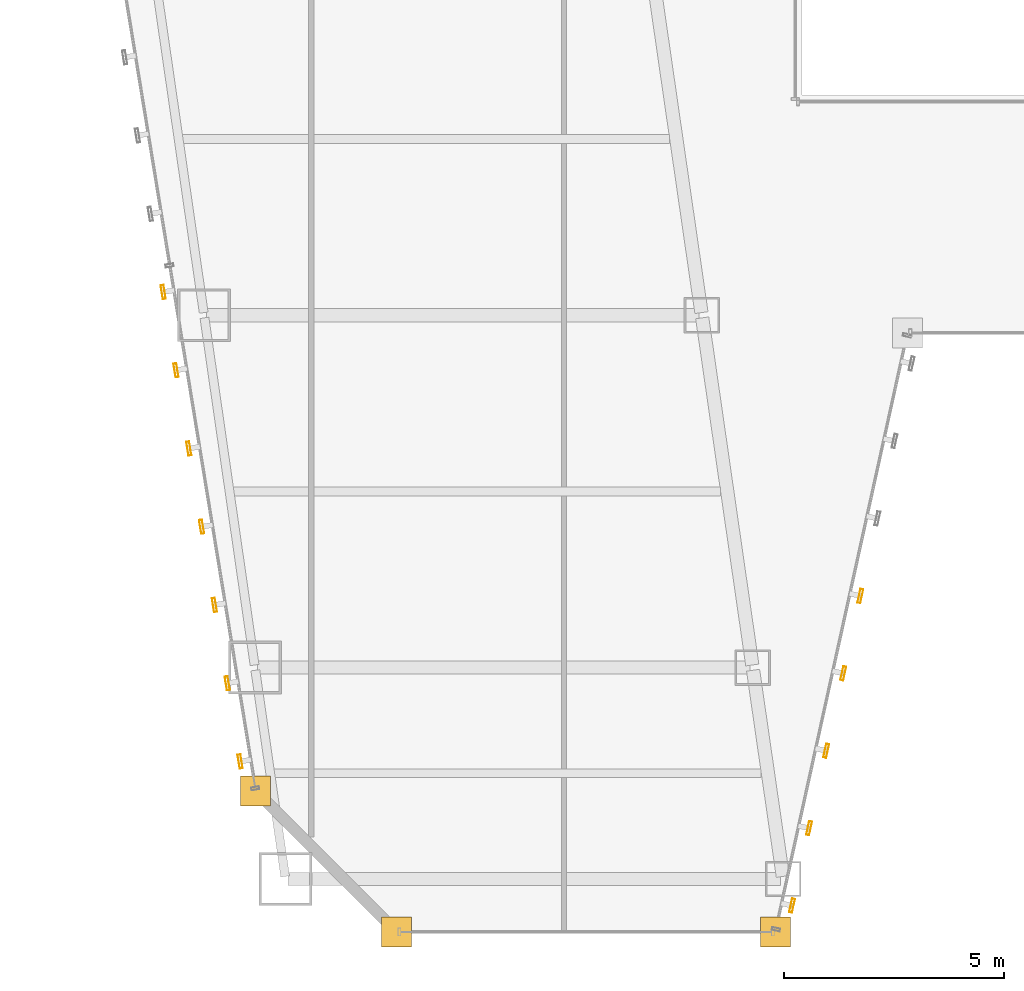
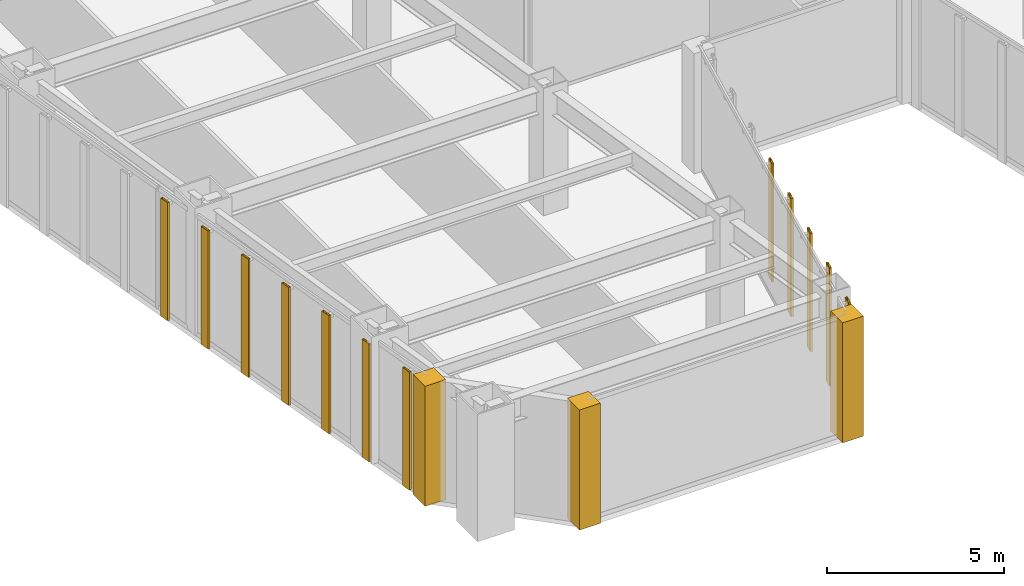
# One storey, part 41 of 47: 12 shading devices, 3 coverings.
"""IFC4 building model written with IfcOpenShell, lengths in metres."""

import ifcopenshell
import ifcopenshell.guid

model = None  # the IFC model being written
_history = None  # IfcOwnerHistory: only IFC2X3 demands one
_inside = {}  # id of a spatial element -> (the spatial element, [elements in it])
_under = {}  # id of a project, library or spatial element -> (it, [spatial elements below it])
_declared = {}  # id of a project -> (the project, [libraries it declares])
_typed = {}  # id of a type object -> (the type object, [elements of that type])
_made_of = {}  # id of a material, layer set ... -> (it, [elements and type objects made of it])


def new_model(schema):
    """Start an empty IFC model of exactly this schema.

    Asked for "IFC4X3", IfcOpenShell would pick the latest addendum, in which some entities
    have other attributes; the version numbers below select the first issue.
    IFC2X3 requires an IfcOwnerHistory on every rooted entity: one is made here for all.
    """
    global model, _history
    if schema == "IFC4X3":
        model = ifcopenshell.file(schema_version=(4, 3, 0, 0))
    else:
        model = ifcopenshell.file(schema=schema)
    _inside.clear()
    _under.clear()
    _declared.clear()
    _typed.clear()
    _made_of.clear()
    _history = None
    if model.schema == "IFC2X3":
        org = make("IfcOrganization", Name="unknown")
        user = make(
            "IfcPersonAndOrganization",
            ThePerson=make("IfcPerson", FamilyName="unknown"),
            TheOrganization=org,
        )
        app = make(
            "IfcApplication",
            ApplicationDeveloper=org,
            Version="unknown",
            ApplicationFullName="unknown",
            ApplicationIdentifier="unknown",
        )
        _history = make(
            "IfcOwnerHistory",
            OwningUser=user,
            OwningApplication=app,
            ChangeAction="ADDED",
            CreationDate=0,
        )
    return model


def make(cls, **values):
    """One entity of the class cls with the attributes given. An attribute that is None is left unset."""
    return model.create_entity(
        cls, **{name: value for name, value in values.items() if value is not None}
    )


def rooted(cls, **values):
    """An entity with a GlobalId (a new one), such as an element, a storey or a relation."""
    return make(cls, GlobalId=ifcopenshell.guid.new(), OwnerHistory=_history, **values)


def si_unit(unit_type, name, prefix=None):
    """IfcSIUnit, for example si_unit("LENGTHUNIT", "METRE", prefix="MILLI")."""
    return make("IfcSIUnit", UnitType=unit_type, Prefix=prefix, Name=name)


def assignment(units):
    """IfcUnitAssignment: the units of a project."""
    return None if units is None else make("IfcUnitAssignment", Units=units)


def point(xyz):
    """IfcCartesianPoint."""
    return None if xyz is None else make("IfcCartesianPoint", Coordinates=xyz)


def direction(xyz):
    """IfcDirection."""
    return None if xyz is None else make("IfcDirection", DirectionRatios=xyz)


def frame(location, z_axis=None, x_axis=None):
    """IfcAxis2Placement3D, a coordinate frame: its origin and axes. An axis left out is left unset."""
    return make(
        "IfcAxis2Placement3D",
        Location=point(location),
        Axis=direction(z_axis),
        RefDirection=direction(x_axis),
    )


def frame_2d(location, x_axis=None):
    """IfcAxis2Placement2D, a coordinate frame in the plane: its origin and x axis."""
    return make(
        "IfcAxis2Placement2D", Location=point(location), RefDirection=direction(x_axis)
    )


def origin():
    """The frame at (0, 0, 0) with its axes left unset."""
    return frame((0.0, 0.0, 0.0))


def origin_2d():
    """The frame at (0, 0) in the plane with its x axis left unset."""
    return frame_2d((0.0, 0.0))


def place(relative_to, where):
    """IfcLocalPlacement: puts the frame where relative to a parent placement (None: the world)."""
    return make(
        "IfcLocalPlacement", PlacementRelTo=relative_to, RelativePlacement=where
    )


def context(
    kind, dimensions, precision=None, world=None, true_north=None, identifier=None
):
    """IfcGeometricRepresentationContext, for example the 3D "Model" context."""
    return make(
        "IfcGeometricRepresentationContext",
        ContextIdentifier=identifier,
        ContextType=kind,
        CoordinateSpaceDimension=dimensions,
        Precision=precision,
        WorldCoordinateSystem=world,
        TrueNorth=true_north,
    )


def subcontext(parent, identifier, kind, view, scale=None):
    """IfcGeometricRepresentationSubContext, for example "Body" below "Model"."""
    return make(
        "IfcGeometricRepresentationSubContext",
        ContextIdentifier=identifier,
        ContextType=kind,
        ParentContext=parent,
        TargetScale=scale,
        TargetView=view,
    )


def project(units=None, contexts=None):
    """IfcProject with its units and contexts."""
    return rooted(
        "IfcProject",
        Name="project",
        RepresentationContexts=contexts,
        UnitsInContext=assignment(units),
    )


def spatial(cls, under=None, at=None, **own):
    """A site, building, storey or space (cls), placed at a placement, below another one or the project."""
    s = rooted(cls, ObjectPlacement=at, **own)
    if under is not None:
        _under.setdefault(under.id(), (under, []))[1].append(s)
    return s


def polyline(points):
    """IfcPolyline through the points."""
    return make("IfcPolyline", Points=[point(p) for p in points])


def profile(cls, at=None, kind="AREA", **sizes):
    """A parametric profile (cls). Its sizes go by their IFC names, for example OverallWidth=200.0."""
    return make(cls, ProfileType=kind, Position=at, **sizes)


def hollow_rectangle(**sizes):
    """IfcRectangleHollowProfileDef."""
    return profile("IfcRectangleHollowProfileDef", **sizes)


def outline(outer, holes=None, kind="AREA"):
    """IfcArbitraryClosedProfileDef: a profile drawn as a closed curve; with holes, ...WithVoids."""
    if holes is None:
        return make("IfcArbitraryClosedProfileDef", ProfileType=kind, OuterCurve=outer)
    return make(
        "IfcArbitraryProfileDefWithVoids",
        ProfileType=kind,
        OuterCurve=outer,
        InnerCurves=holes,
    )


def extrude(swept, where, along, depth):
    """IfcExtrudedAreaSolid: the profile swept, set in the frame where, extruded along a direction by depth."""
    return make(
        "IfcExtrudedAreaSolid",
        SweptArea=swept,
        Position=where,
        ExtrudedDirection=direction(along),
        Depth=depth,
    )


def shape(context_of_items, identifier, shape_type, items):
    """IfcShapeRepresentation: the items that make up one representation, for example the "Body"."""
    return make(
        "IfcShapeRepresentation",
        ContextOfItems=context_of_items,
        RepresentationIdentifier=identifier,
        RepresentationType=shape_type,
        Items=items,
    )


def material(Name=None, Category=None):
    """IfcMaterial."""
    return make("IfcMaterial", Name=Name, Category=Category)


def layer(
    of_material, thickness, ventilated=None, Name=None, Category=None, Priority=None
):
    """IfcMaterialLayer: one layer of a wall or slab, of a material (None: an air gap)."""
    return make(
        "IfcMaterialLayer",
        Material=of_material,
        LayerThickness=thickness,
        IsVentilated=ventilated,
        Name=Name,
        Category=Category,
        Priority=Priority,
    )


def layer_set(layers, Name=None):
    """IfcMaterialLayerSet."""
    return make("IfcMaterialLayerSet", MaterialLayers=layers, LayerSetName=Name)


def material_profile(
    of_material, cross_section, Name=None, Category=None, Priority=None
):
    """IfcMaterialProfile: a cross section and its material."""
    return make(
        "IfcMaterialProfile",
        Name=Name,
        Material=of_material,
        Profile=cross_section,
        Priority=Priority,
        Category=Category,
    )


def profile_set(profiles, Name=None, composite=None):
    """IfcMaterialProfileSet."""
    return make(
        "IfcMaterialProfileSet",
        Name=Name,
        MaterialProfiles=profiles,
        CompositeProfile=composite,
    )


def made_of(thing, what):
    """Note that an element or type object is made of a material, layer set ...; save() writes the relation."""
    if what is not None:
        _made_of.setdefault(what.id(), (what, []))[1].append(thing)
    return thing


def type_object(cls, material=None, **own):
    """A type object (cls), such as IfcWallType, which elements share."""
    return made_of(rooted(cls, **own), material)


def element(
    cls,
    number,
    at=None,
    inside=None,
    cuts=None,
    type_object=None,
    material=None,
    context=None,
    identifier="Body",
    shape_type=None,
    held_by="IfcProductDefinitionShape",
    body=None,
    shapes=None,
    **own,
):
    """One element of the class cls, such as IfcWall. Its Tag is "e" and its number.

    at: its placement. inside: the storey or other place that contains it. cuts: it is an
    opening in that element (IfcRelVoidsElement). A single representation is given by context,
    identifier, shape_type and body (its items); several are given by shapes. held_by: the class
    of the entity that holds the representations. save() writes the other relations.
    """
    e = rooted(cls, Tag="e%d" % number, ObjectPlacement=at, **own)
    if body is not None:
        shapes = [shape(context, identifier, shape_type, body)]
    if shapes is not None:
        e.Representation = make(held_by, Representations=shapes)
    if inside is not None:
        _inside.setdefault(inside.id(), (inside, []))[1].append(e)
    if cuts is not None:
        rooted(
            "IfcRelVoidsElement", RelatingBuildingElement=cuts, RelatedOpeningElement=e
        )
    if type_object is not None:
        _typed.setdefault(type_object.id(), (type_object, []))[1].append(e)
    return made_of(e, material)


def aggregate(whole, parts):
    """IfcRelAggregates: a whole, such as a stair, and the parts it consists of."""
    return rooted("IfcRelAggregates", RelatingObject=whole, RelatedObjects=parts)


def save(model, path):
    """Write the relations noted so far, then the file.

    IfcRelAggregates (storeys below a building ...), IfcRelContainedInSpatialStructure (elements
    in a storey), IfcRelDefinesByType, IfcRelAssociatesMaterial and IfcRelDeclares: one each for
    every whole, place, type object, material and project.
    """
    for whole, parts in _under.values():
        aggregate(whole, parts)
    for where, things in _inside.values():
        rooted(
            "IfcRelContainedInSpatialStructure",
            RelatedElements=things,
            RelatingStructure=where,
        )
    for kind, things in _typed.values():
        rooted("IfcRelDefinesByType", RelatedObjects=things, RelatingType=kind)
    for what, things in _made_of.values():
        rooted("IfcRelAssociatesMaterial", RelatedObjects=things, RelatingMaterial=what)
    for by, libraries in _declared.values():
        rooted("IfcRelDeclares", RelatingContext=by, RelatedDefinitions=libraries)
    model.write(path)


model = new_model("IFC4")

# Units and contexts
model_context = context("Model", 3, precision=1e-05, world=origin(), true_north=direction((0.0, 1.0)))
body_context = subcontext(model_context, "Body", "Model", "MODEL_VIEW")
ifc_project = project(units=[si_unit("LENGTHUNIT", "METRE"), si_unit("AREAUNIT", "SQUARE_METRE"), si_unit("VOLUMEUNIT", "CUBIC_METRE"), si_unit("PLANEANGLEUNIT", "RADIAN"), si_unit("MASSUNIT", "GRAM", prefix="KILO")], contexts=[model_context])

# Site, building, storey
site_placement = place(None, origin())
site = spatial("IfcSite", under=ifc_project, at=site_placement, CompositionType="ELEMENT")
building_placement = place(site_placement, origin())
building = spatial("IfcBuilding", under=site, at=building_placement, Name="Saevonmaru Cultural Tower", CompositionType="ELEMENT")
storey_placement = place(building_placement, frame((0.0, 0.0, 42.800048828125)))
storey = spatial("IfcBuildingStorey", under=building, at=storey_placement, Name="L08", CompositionType="ELEMENT", Elevation=42.800048828125)

# Coverings
ifc_material = material(Name="Satin Bronze Anodised Aluminium", Category="aluminium")
ifc_layer = layer(ifc_material, 0.679931640625, Name="Satin Bronze Anodised Aluminium")
ifc_layer_set = layer_set([ifc_layer], Name="Satin Bronze Anodised Aluminium")
covering_type = type_object("IfcCoveringType", Name="CV-CORNER-CLAD", PredefinedType="CLADDING", material=ifc_layer_set)
covering_1_placement = place(storey_placement, origin())
element("IfcCovering", 1, at=covering_1_placement, inside=storey, type_object=covering_type, Name="L08 Tower Bronze Corner Cladding Pier 1", PredefinedType="CLADDING", context=body_context, shape_type="SweptSolid", body=[
    extrude(outline(polyline([(11.4599609375, 4.860107421875), (12.139892578125, 4.860107421875), (12.139892578125, 5.5400390625), (11.4599609375, 5.5400390625), (11.4599609375, 4.860107421875)])), origin(), (0.0, 0.0, 1.0), 4.14990234375),
])
covering_2_placement = place(storey_placement, origin())
element("IfcCovering", 2, at=covering_2_placement, inside=storey, type_object=covering_type, Name="L08 Tower Bronze Corner Cladding Pier 2", PredefinedType="CLADDING", context=body_context, shape_type="SweptSolid", body=[
    extrude(outline(polyline([(14.659912109375, 1.659912109375), (15.340087890625, 1.659912109375), (15.340087890625, 2.340087890625), (14.659912109375, 2.340087890625), (14.659912109375, 1.659912109375)])), origin(), (0.0, 0.0, 1.0), 4.14990234375),
])
covering_3_placement = place(storey_placement, origin())
element("IfcCovering", 3, at=covering_3_placement, inside=storey, type_object=covering_type, Name="L08 Tower Bronze Corner Cladding Pier 3", PredefinedType="CLADDING", context=body_context, shape_type="SweptSolid", body=[
    extrude(outline(polyline([(23.260009765625, 1.659912109375), (23.93994140625, 1.659912109375), (23.93994140625, 2.340087890625), (23.260009765625, 2.340087890625), (23.260009765625, 1.659912109375)])), origin(), (0.0, 0.0, 1.0), 4.14990234375),
])

# Shading devices
ifc_material_profile = material_profile(ifc_material, hollow_rectangle(XDim=0.070068359375, YDim=0.320068359375, WallThickness=0.0048828125, at=origin_2d()), Name="FIN-320x70")
ifc_profile_set = profile_set([ifc_material_profile], Name="Satin Bronze Anodised Aluminium")
shading_device_type = type_object("IfcShadingDeviceType", Name="SHD-FIN-320", PredefinedType="JALOUSIE", material=ifc_profile_set)
for number, where, z_axis, x_axis, name in (
    (4, (23.977294921875, 2.59619140625, 0.050048828125), (0.0, 0.0, 1.0), (0.976522126798, -0.215417120661, 0.0), "L08 Art Deco Sawtooth Bronze Fin E3-01"),
    (5, (24.364990234375, 4.35400390625, 0.050048828125), (0.0, 0.0, 1.0), (0.976522126798, -0.215417120661, 0.0), "L08 Art Deco Sawtooth Bronze Fin E3-02"),
    (6, (24.752685546875, 6.11181640625, 0.050048828125), (0.0, 0.0, 1.0), (0.976522126798, -0.215417120661, 0.0), "L08 Art Deco Sawtooth Bronze Fin E3-03"),
    (7, (25.140380859375, 7.869384765625, 0.050048828125), (0.0, 0.0, 1.0), (0.976522126798, -0.215417120661, 0.0), "L08 Art Deco Sawtooth Bronze Fin E3-04"),
    (8, (25.5283203125, 9.627197265625, 0.050048828125), (0.0, 0.0, 1.0), (0.976522126798, -0.215417120661, 0.0), "L08 Art Deco Sawtooth Bronze Fin E3-05"),
    (9, (9.70068359375, 16.527099609375, 0.050048828125), (0.0, 0.0, 1.0), (-0.986827496189, -0.161776057456, 0.0), "L08 Art Deco Sawtooth Bronze Fin E12-21"),
    (10, (9.99169921875, 14.750732421875, 0.050048828125), (0.0, 0.0, 1.0), (-0.986827496189, -0.161776057456, 0.0), "L08 Art Deco Sawtooth Bronze Fin E12-22"),
    (11, (10.28271484375, 12.974365234375, 0.050048828125), (0.0, 0.0, 1.0), (-0.986827496189, -0.161776057456, 0.0), "L08 Art Deco Sawtooth Bronze Fin E12-23"),
    (12, (10.573974609375, 11.197998046875, 0.050048828125), (0.0, 0.0, 1.0), (-0.986827496189, -0.161776057456, 0.0), "L08 Art Deco Sawtooth Bronze Fin E12-24"),
    (13, (10.864990234375, 9.421875, 0.050048828125), (0.0, 0.0, 1.0), (-0.986827496189, -0.161776057456, 0.0), "L08 Art Deco Sawtooth Bronze Fin E12-25"),
    (14, (11.156005859375, 7.6455078125, 0.050048828125), (0.0, 0.0, 1.0), (-0.986827496189, -0.161776057456, 0.0), "L08 Art Deco Sawtooth Bronze Fin E12-26"),
    (15, (11.447021484375, 5.869140625, 0.050048828125), (0.0, 0.0, 1.0), (-0.986827496189, -0.161776057456, 0.0), "L08 Art Deco Sawtooth Bronze Fin E12-27"),
):
    element("IfcShadingDevice", number, at=place(storey_placement, frame(where, z_axis=z_axis, x_axis=x_axis)), inside=storey, type_object=shading_device_type, Name=name, PredefinedType="JALOUSIE", context=body_context, shape_type="SweptSolid", body=[
        extrude(hollow_rectangle(XDim=0.070068359375, YDim=0.320068359375, WallThickness=0.0048828125, at=origin_2d()), origin(), (0.0, 0.0, 1.0), 4.079833984375),
    ])

save(model, "model.ifc")
